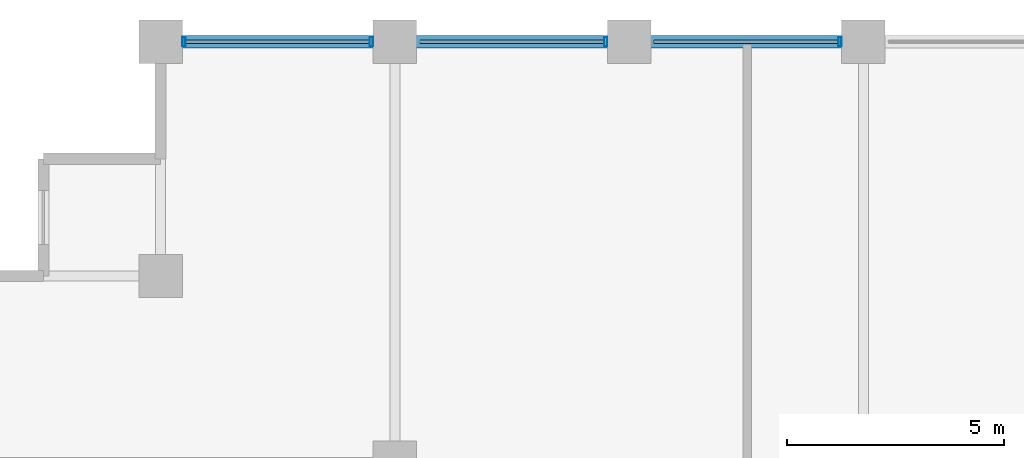
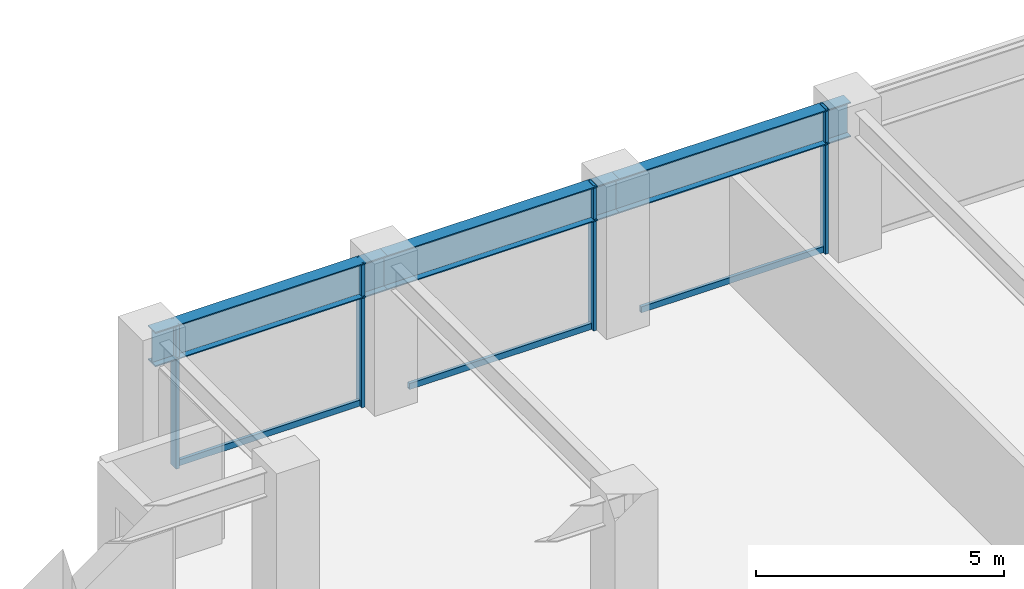
# One storey, part 14 of 29: 7 members, 3 beams, 1 element without a shape of its own.
"""IFC4 building model written with IfcOpenShell, lengths in metres."""

from ifc_helpers import new_model, si_unit, direction, frame, origin, origin_2d, place, context, subcontext, project, spatial, hollow_rectangle, i_section, extrude, material, layer, layer_set, material_profile, profile_set, type_object, element, aggregate, save


model = new_model("IFC4")

# Units and contexts
model_context = context("Model", 3, precision=1e-05, world=origin(), true_north=direction((0.0, 1.0)))
body_context = subcontext(model_context, "Body", "Model", "MODEL_VIEW")
ifc_project = project(units=[si_unit("LENGTHUNIT", "METRE"), si_unit("AREAUNIT", "SQUARE_METRE"), si_unit("VOLUMEUNIT", "CUBIC_METRE"), si_unit("PLANEANGLEUNIT", "RADIAN"), si_unit("MASSUNIT", "GRAM", prefix="KILO")], contexts=[model_context])

# Site, building, storey
site_placement = place(None, origin())
site = spatial("IfcSite", under=ifc_project, at=site_placement, CompositionType="ELEMENT")
building_placement = place(site_placement, origin())
building = spatial("IfcBuilding", under=site, at=building_placement, Name="Surkhivell Harbour Commons", CompositionType="ELEMENT")
storey_placement = place(building_placement, frame((0.0, 0.0, 154.5)))
storey = spatial("IfcBuildingStorey", under=building, at=storey_placement, Name="L40", CompositionType="ELEMENT", Elevation=154.5)

# Beams
ifc_material_1 = material(Name="Steel S460", Category="steel")
ifc_material_profile_1 = material_profile(ifc_material_1, i_section(OverallWidth=0.2939453125, OverallDepth=0.85107421875, WebThickness=0.01611328125, FlangeThickness=0.02685546875, at=origin_2d()), Name="UB838x292x226")
ifc_profile_set_1 = profile_set([ifc_material_profile_1], Name="Steel S460")
beam_type = type_object("IfcBeamType", Name="BM-SPN-838", PredefinedType="SPANDREL", material=ifc_profile_set_1)
beam_1_placement = place(storey_placement, frame((-27.0, 25.89990234375, 3.14453125), z_axis=(1.0, 0.0, 0.0), x_axis=(0.0, 1.0, 0.0)))
element("IfcBeam", 1, at=beam_1_placement, inside=storey, type_object=beam_type, Name="L40 Tube Spandrel (-27.0,25.9)", PredefinedType="SPANDREL", context=body_context, shape_type="SweptSolid", body=[
    extrude(i_section(OverallWidth=0.2939453125, OverallDepth=0.85107421875, WebThickness=0.01611328125, FlangeThickness=0.02685546875, at=origin_2d()), origin(), (0.0, 0.0, 1.0), 5.39990234375),
])
beam_2_placement = place(storey_placement, frame((-21.60009765625, 25.89990234375, 3.14453125), z_axis=(1.0, 0.0, 0.0), x_axis=(0.0, 1.0, 0.0)))
element("IfcBeam", 2, at=beam_2_placement, inside=storey, type_object=beam_type, Name="L40 Tube Spandrel (-21.6,25.9)", PredefinedType="SPANDREL", context=body_context, shape_type="SweptSolid", body=[
    extrude(i_section(OverallWidth=0.2939453125, OverallDepth=0.85107421875, WebThickness=0.01611328125, FlangeThickness=0.02685546875, at=origin_2d()), origin(), (0.0, 0.0, 1.0), 5.400146484375),
])
beam_3_placement = place(storey_placement, frame((-16.199951171875, 25.89990234375, 3.14453125), z_axis=(1.0, 0.0, 0.0), x_axis=(0.0, 1.0, 0.0)))
element("IfcBeam", 3, at=beam_3_placement, inside=storey, type_object=beam_type, Name="L40 Tube Spandrel (-16.2,25.9)", PredefinedType="SPANDREL", context=body_context, shape_type="SweptSolid", body=[
    extrude(i_section(OverallWidth=0.2939453125, OverallDepth=0.85107421875, WebThickness=0.01611328125, FlangeThickness=0.02685546875, at=origin_2d()), origin(), (0.0, 0.0, 1.0), 5.39990234375),
])

# Curtain wall, members
ifc_material_2 = material(Name="Anodised pale-metal aluminium and insulated glazing", Category="aluminium")
ifc_layer = layer(ifc_material_2, 0.205078125)
ifc_layer_set = layer_set([ifc_layer], Name="Anodised pale-metal aluminium and insulated glazing")
curtain_wall_type = type_object("IfcCurtainWallType", Name="CW-SYS-Z2", PredefinedType="NOTDEFINED", material=ifc_layer_set)
curtain_wall_placement = place(storey_placement, origin())
curtain_wall = element("IfcCurtainWall", 4, at=curtain_wall_placement, inside=storey, type_object=curtain_wall_type, Name="L40 Curtain Wall CW-L40-E07S2", PredefinedType="NOTDEFINED")
ifc_material_3 = material(Name="Anodised pale-metal aluminium alloy 6063-T6", Category="aluminium")
ifc_material_profile_2 = material_profile(ifc_material_3, hollow_rectangle(XDim=0.074951171875, YDim=0.219970703125, WallThickness=0.00390625, at=origin_2d()), Name="ALU-MULL-75x220")
ifc_profile_set_2 = profile_set([ifc_material_profile_2], Name="Anodised pale-metal aluminium alloy 6063-T6")
member_type_1 = type_object("IfcMemberType", Name="CWM-220", PredefinedType="MULLION", material=ifc_profile_set_2)
member_1_placement = place(storey_placement, frame((-11.339599609375, 25.89990234375, 0.0), z_axis=(0.0, 0.0, 1.0), x_axis=(-1.0, 0.0, 0.0)))
member_1 = element("IfcMember", 5, at=member_1_placement, type_object=member_type_1, Name="CW-Z2 mullion 2", PredefinedType="MULLION", context=body_context, shape_type="SweptSolid", body=[
    extrude(hollow_rectangle(XDim=0.074951171875, YDim=0.219970703125, WallThickness=0.00390625, at=origin_2d()), origin(), (0.0, 0.0, 1.0), 3.570068359375),
])
member_2_placement = place(storey_placement, frame((-16.739501953125, 25.89990234375, 0.0), z_axis=(0.0, 0.0, 1.0), x_axis=(-1.0, 0.0, 0.0)))
member_2 = element("IfcMember", 6, at=member_2_placement, type_object=member_type_1, Name="CW-Z2 mullion 3", PredefinedType="MULLION", context=body_context, shape_type="SweptSolid", body=[
    extrude(hollow_rectangle(XDim=0.074951171875, YDim=0.219970703125, WallThickness=0.00390625, at=origin_2d()), origin(), (0.0, 0.0, 1.0), 3.570068359375),
])
member_3_placement = place(storey_placement, frame((-22.139404296875, 25.89990234375, 0.0), z_axis=(0.0, 0.0, 1.0), x_axis=(-1.0, 0.0, 0.0)))
member_3 = element("IfcMember", 7, at=member_3_placement, type_object=member_type_1, Name="CW-Z2 mullion 4", PredefinedType="MULLION", context=body_context, shape_type="SweptSolid", body=[
    extrude(hollow_rectangle(XDim=0.074951171875, YDim=0.219970703125, WallThickness=0.00390625, at=origin_2d()), origin(), (0.0, 0.0, 1.0), 3.570068359375),
])
member_4_placement = place(storey_placement, frame((-26.46044921875, 25.89990234375, 0.0), z_axis=(0.0, 0.0, 1.0), x_axis=(-1.0, 0.0, 0.0)))
member_4 = element("IfcMember", 8, at=member_4_placement, type_object=member_type_1, Name="CW-Z2 mullion 5", PredefinedType="MULLION", context=body_context, shape_type="SweptSolid", body=[
    extrude(hollow_rectangle(XDim=0.074951171875, YDim=0.219970703125, WallThickness=0.00390625, at=origin_2d()), origin(), (0.0, 0.0, 1.0), 3.570068359375),
])
ifc_material_profile_3 = material_profile(ifc_material_3, hollow_rectangle(XDim=0.074951171875, YDim=0.14990234375, WallThickness=0.00341796875, at=origin_2d()), Name="ALU-TRAN-75x150")
ifc_profile_set_3 = profile_set([ifc_material_profile_3], Name="Anodised pale-metal aluminium alloy 6063-T6")
member_type_2 = type_object("IfcMemberType", Name="CWT-150", PredefinedType="USERDEFINED", material=ifc_profile_set_3)
member_5_placement = place(storey_placement, frame((-11.376953125, 25.89990234375, 0.074951171875), z_axis=(-1.0, 0.0, 0.0), x_axis=(0.0, -1.0, 0.0)))
member_5 = element("IfcMember", 9, at=member_5_placement, type_object=member_type_2, Name="CW-Z2 transom 2.1", ObjectType="TRANSOM", PredefinedType="USERDEFINED", context=body_context, shape_type="SweptSolid", body=[
    extrude(hollow_rectangle(XDim=0.074951171875, YDim=0.14990234375, WallThickness=0.00341796875, at=origin_2d()), origin(), (0.0, 0.0, 1.0), 4.24609375),
])
member_6_placement = place(storey_placement, frame((-16.777099609375, 25.89990234375, 0.074951171875), z_axis=(-1.0, 0.0, 0.0), x_axis=(0.0, -1.0, 0.0)))
member_6 = element("IfcMember", 10, at=member_6_placement, type_object=member_type_2, Name="CW-Z2 transom 3.1", ObjectType="TRANSOM", PredefinedType="USERDEFINED", context=body_context, shape_type="SweptSolid", body=[
    extrude(hollow_rectangle(XDim=0.074951171875, YDim=0.14990234375, WallThickness=0.00341796875, at=origin_2d()), origin(), (0.0, 0.0, 1.0), 4.245849609375),
])
member_7_placement = place(storey_placement, frame((-22.177001953125, 25.89990234375, 0.074951171875), z_axis=(-1.0, 0.0, 0.0), x_axis=(0.0, -1.0, 0.0)))
member_7 = element("IfcMember", 11, at=member_7_placement, type_object=member_type_2, Name="CW-Z2 transom 4.1", ObjectType="TRANSOM", PredefinedType="USERDEFINED", context=body_context, shape_type="SweptSolid", body=[
    extrude(hollow_rectangle(XDim=0.074951171875, YDim=0.14990234375, WallThickness=0.00341796875, at=origin_2d()), origin(), (0.0, 0.0, 1.0), 4.24609375),
])
aggregate(curtain_wall, [member_1, member_5, member_2, member_6, member_3, member_4, member_7])

save(model, "model.ifc")
